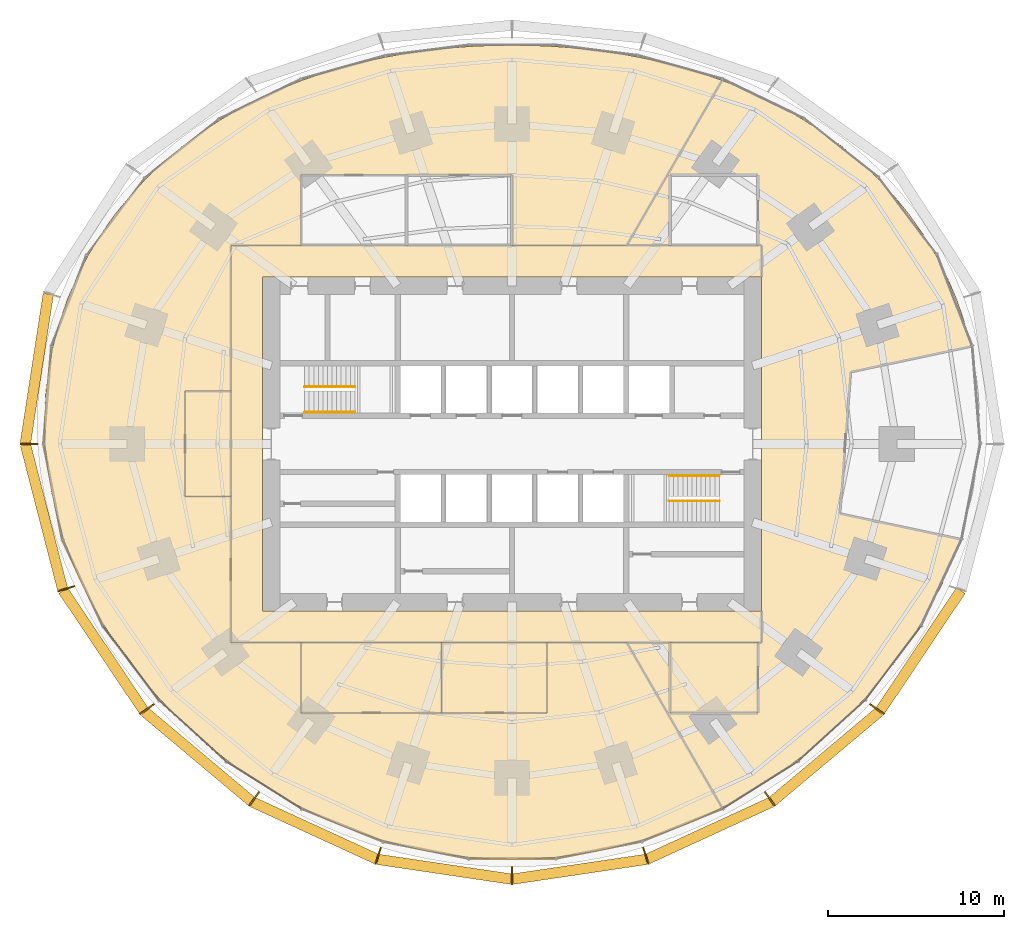
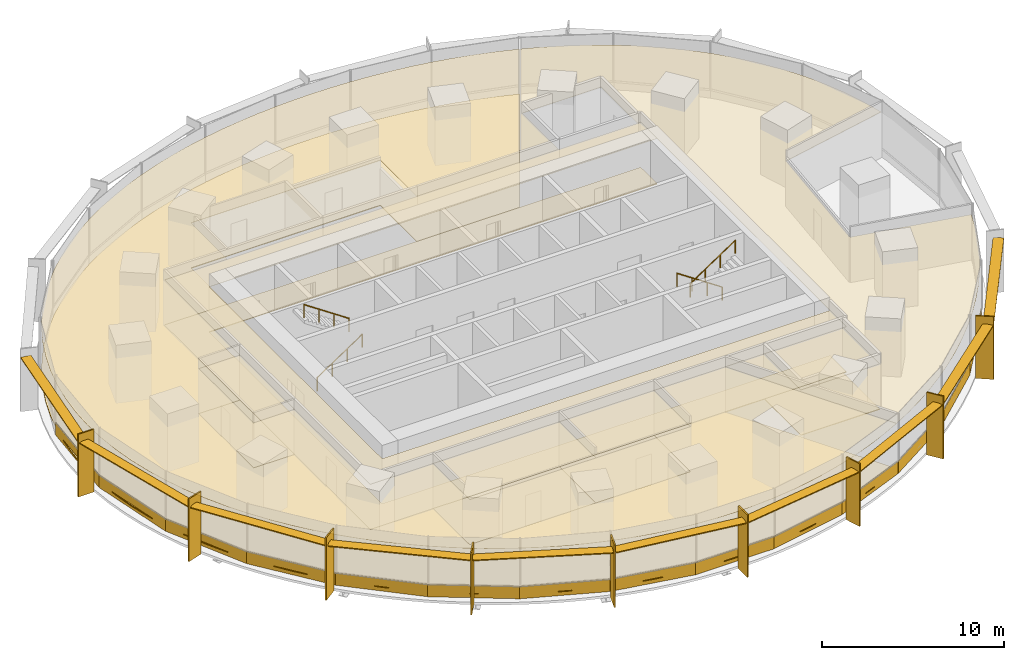
# One storey, part 14 of 15: 27 coverings, 19 shading devices, 4 railings.
"""IFC4 building model written with IfcOpenShell, lengths in metres."""

from ifc_helpers import new_model, si_unit, direction, frame, origin, origin_2d, place, context, subcontext, project, spatial, polyline, rectangle, circle, outline, extrude, material, layer, layer_set, type_object, element, save


model = new_model("IFC4")

# Units and contexts
model_context = context("Model", 3, precision=1e-05, world=origin(), true_north=direction((0.0, 1.0)))
body_context = subcontext(model_context, "Body", "Model", "MODEL_VIEW")
ifc_project = project(units=[si_unit("LENGTHUNIT", "METRE"), si_unit("AREAUNIT", "SQUARE_METRE"), si_unit("VOLUMEUNIT", "CUBIC_METRE"), si_unit("PLANEANGLEUNIT", "RADIAN"), si_unit("MASSUNIT", "GRAM", prefix="KILO")], contexts=[model_context])

# Site, building, storey
site_placement = place(None, origin())
site = spatial("IfcSite", under=ifc_project, at=site_placement, CompositionType="ELEMENT")
building_placement = place(site_placement, origin())
building = spatial("IfcBuilding", under=site, at=building_placement, Name="Marramba Exchange Tower", CompositionType="ELEMENT")
storey_placement = place(building_placement, frame((0.0, 0.0, 78.39990234375)))
storey = spatial("IfcBuildingStorey", under=building, at=storey_placement, Name="L18", CompositionType="ELEMENT", Elevation=78.39990234375)

# Shading devices
ifc_material_1 = material(Name="Aluminium blade, timber-look bronze finish", Category="wood")
ifc_layer_1 = layer(ifc_material_1, 0.080078125)
ifc_layer_set_1 = layer_set([ifc_layer_1], Name="Floor-edge blade 1000x80")
shading_device_type_1 = type_object("IfcShadingDeviceType", Name="Floor-edge blade 1000x80", PredefinedType="USERDEFINED", material=ifc_layer_set_1)
for number, where, z_axis, x_axis, name in (
    (1, (-27.5, 0.0, -0.15966796875), (0.0, 0.0, 1.0), (-1.0, 0.0, 0.0), "Floor-edge blade FB1 L18 TC11"),
    (2, (-25.3740234375, -8.24462890625, -0.15966796875), (0.0, 0.0, 1.0), (-0.951056516295, -0.309016994375, 0.0), "Floor-edge blade FB1 L18 TC12"),
    (3, (-20.773193359375, -15.092529296875, -0.15966796875), (0.0, 0.0, 1.0), (-0.809016994375, -0.587785252292, 0.0), "Floor-edge blade FB1 L18 TC13"),
    (4, (-14.6787109375, -20.20361328125, -0.15966796875), (0.0, 0.0, 1.0), (-0.587785252292, -0.809016994375, 0.0), "Floor-edge blade FB1 L18 TC14"),
    (5, (-7.61767578125, -23.444580078125, -0.15966796875), (0.0, 0.0, 1.0), (-0.309016994375, -0.951056516295, 0.0), "Floor-edge blade FB1 L18 TC15"),
    (6, (0.0, -24.572021484375, -0.15966796875), (0.0, 0.0, 1.0), (0.0, -1.0, 0.0), "Floor-edge blade FB1 L18 TC16"),
    (7, (7.61767578125, -23.444580078125, -0.15966796875), (0.0, 0.0, 1.0), (0.309016994375, -0.951056516295, 0.0), "Floor-edge blade FB1 L18 TC17"),
    (8, (14.6787109375, -20.20361328125, -0.15966796875), (0.0, 0.0, 1.0), (0.587785252292, -0.809016994375, 0.0), "Floor-edge blade FB1 L18 TC18"),
    (9, (20.773193359375, -15.092529296875, -0.15966796875), (0.0, 0.0, 1.0), (0.809016994375, -0.587785252292, 0.0), "Floor-edge blade FB1 L18 TC19"),
):
    element("IfcShadingDevice", number, at=place(storey_placement, frame(where, z_axis=z_axis, x_axis=x_axis)), inside=storey, type_object=shading_device_type_1, Name=name, ObjectType="FIN", PredefinedType="USERDEFINED", context=body_context, shape_type="SweptSolid", body=[
        extrude(rectangle(XDim=1.0, YDim=0.080078125, at=origin_2d()), origin(), (0.0, 0.0, 1.0), 4.199951171875),
    ])

# Coverings
ifc_material_2 = material(Name="Steel raised access floor panels", Category="steel")
ifc_layer_2 = layer(ifc_material_2, 0.050048828125)
ifc_layer_set_2 = layer_set([ifc_layer_2], Name="Raised access floor 300")
covering_type_1 = type_object("IfcCoveringType", Name="Raised access floor 300", PredefinedType="FLOORING", material=ifc_layer_set_2)
covering_1_placement = place(storey_placement, frame((0.0, 0.0, 0.25)))
element("IfcCovering", 10, at=covering_1_placement, inside=storey, type_object=covering_type_1, Name="Raised access floor RAF1 L18 Office", PredefinedType="FLOORING", context=body_context, shape_type="SweptSolid", body=[
    extrude(outline(polyline([(-16.0, 3.0), (-18.60009765625, 3.0), (-18.60009765625, -3.0), (-16.0, -3.0), (-16.0, -11.300048828125), (-12.0, -11.300048828125), (-12.0, -15.300048828125), (-4.0, -15.300048828125), (2.0, -15.300048828125), (2.0, -11.300048828125), (6.524169921875, -11.300048828125), (11.58154296875, -20.059814453125), (11.94921875, -20.69677734375), (10.82373046875, -21.242919921875), (9.677734375, -21.736328125), (8.512451171875, -22.17578125), (7.330078125, -22.56005859375), (6.1328125, -22.8876953125), (4.92236328125, -23.15771484375), (3.701416015625, -23.368896484375), (2.47216796875, -23.5205078125), (1.2373046875, -23.611572265625), (0.0, -23.64208984375), (-1.2373046875, -23.611572265625), (-2.47216796875, -23.5205078125), (-3.701416015625, -23.368896484375), (-4.92236328125, -23.15771484375), (-6.1328125, -22.8876953125), (-7.330078125, -22.56005859375), (-8.512451171875, -22.17578125), (-9.677734375, -21.736328125), (-10.82373046875, -21.242919921875), (-11.94921875, -20.69677734375), (-13.052490234375, -20.09912109375), (-14.132080078125, -19.451171875), (-15.1865234375, -18.75390625), (-16.21435546875, -18.0078125), (-17.213623046875, -17.213623046875), (-18.1826171875, -16.371826171875), (-19.119384765625, -15.482421875), (-20.020751953125, -14.5458984375), (-20.88427734375, -13.5625), (-21.7060546875, -12.531982421875), (-22.482177734375, -11.455322265625), (-23.208251953125, -10.3330078125), (-23.879150390625, -9.166259765625), (-24.489501953125, -7.95703125), (-25.033935546875, -6.707763671875), (-25.50634765625, -5.421630859375), (-25.9013671875, -4.102294921875), (-26.213623046875, -2.755126953125), (-26.43798828125, -1.385498046875), (-26.570068359375, 0.0), (-26.6064453125, 1.394287109375), (-26.544921875, 2.7900390625), (-26.3837890625, 4.1787109375), (-26.123291015625, 5.552734375), (-25.763916015625, 6.9033203125), (-25.30859375, 8.22314453125), (-24.76025390625, 9.50439453125), (-24.12353515625, 10.740478515625), (-23.40380859375, 11.9248046875), (-22.607177734375, 13.05224609375), (-21.740478515625, 14.118408203125), (-20.810791015625, 15.119873046875), (-19.8251953125, 16.05419921875), (-18.791259765625, 16.919677734375), (-17.71630859375, 17.71630859375), (-16.60693359375, 18.44384765625), (-15.4697265625, 19.103759765625), (-14.31103515625, 19.697509765625), (-13.135986328125, 20.2275390625), (-11.94921875, 20.69677734375), (-10.755126953125, 21.10791015625), (-9.556640625, 21.464599609375), (-8.356689453125, 21.76953125), (-7.15673828125, 22.0263671875), (-5.95849609375, 22.23779296875), (-4.7626953125, 22.406982421875), (-3.5693359375, 22.535888671875), (-2.378173828125, 22.62646484375), (-1.188720703125, 22.68017578125), (0.0, 22.697998046875), (1.188720703125, 22.68017578125), (2.378173828125, 22.62646484375), (3.5693359375, 22.535888671875), (4.7626953125, 22.406982421875), (5.95849609375, 22.23779296875), (7.15673828125, 22.0263671875), (8.356689453125, 21.76953125), (9.556640625, 21.464599609375), (10.755126953125, 21.10791015625), (11.94921875, 20.69677734375), (11.58154296875, 20.059814453125), (6.524169921875, 11.300048828125), (0.0, 11.300048828125), (0.0, 15.300048828125), (-6.0, 15.300048828125), (-12.0, 15.300048828125), (-12.0, 11.300048828125), (-16.0, 11.300048828125), (-16.0, 3.0)])), origin(), (0.0, 0.0, 1.0), 0.050048828125),
])
covering_2_placement = place(storey_placement, frame((0.0, 0.0, 0.25)))
element("IfcCovering", 11, at=covering_2_placement, inside=storey, type_object=covering_type_1, Name="Raised access floor RAF1 L18 Corridor", PredefinedType="FLOORING", context=body_context, shape_type="SweptSolid", body=[
    extrude(outline(polyline([(-16.0, -11.300048828125), (-16.0, 11.300048828125), (14.199951171875, 11.300048828125), (14.199951171875, 9.5), (-14.199951171875, 9.5), (-14.199951171875, -9.5), (14.199951171875, -9.5), (14.199951171875, -11.300048828125), (-16.0, -11.300048828125)])), origin(), (0.0, 0.0, 1.0), 0.050048828125),
])
covering_3_placement = place(storey_placement, frame((0.0, 0.0, 0.25)))
element("IfcCovering", 12, at=covering_3_placement, inside=storey, type_object=covering_type_1, Name="Raised access floor RAF1 L18 Data Room", PredefinedType="FLOORING", context=body_context, shape_type="SweptSolid", body=[
    extrude(outline(polyline([(14.0, -15.300048828125), (9.0, -15.300048828125), (9.0, -11.300048828125), (14.0, -11.300048828125), (14.0, -15.300048828125)])), origin(), (0.0, 0.0, 1.0), 0.050048828125),
])
covering_4_placement = place(storey_placement, frame((0.0, 0.0, 0.25)))
element("IfcCovering", 13, at=covering_4_placement, inside=storey, type_object=covering_type_1, Name="Raised access floor RAF1 L18 Clearing Office", PredefinedType="FLOORING", context=body_context, shape_type="SweptSolid", body=[
    extrude(outline(polyline([(-4.0, -15.300048828125), (-12.0, -15.300048828125), (-12.0, -11.300048828125), (-4.0, -11.300048828125), (-4.0, -15.300048828125)])), origin(), (0.0, 0.0, 1.0), 0.050048828125),
])
covering_5_placement = place(storey_placement, frame((0.0, 0.0, 0.25)))
element("IfcCovering", 14, at=covering_5_placement, inside=storey, type_object=covering_type_1, Name="Raised access floor RAF1 L18 Pantry", PredefinedType="FLOORING", context=body_context, shape_type="SweptSolid", body=[
    extrude(outline(polyline([(2.0, -15.300048828125), (-4.0, -15.300048828125), (-4.0, -11.300048828125), (2.0, -11.300048828125), (2.0, -15.300048828125)])), origin(), (0.0, 0.0, 1.0), 0.050048828125),
])
covering_6_placement = place(storey_placement, frame((0.0, 0.0, 0.25)))
element("IfcCovering", 15, at=covering_6_placement, inside=storey, type_object=covering_type_1, Name="Raised access floor RAF1 L18 Print Room", PredefinedType="FLOORING", context=body_context, shape_type="SweptSolid", body=[
    extrude(outline(polyline([(-16.0, -3.0), (-18.60009765625, -3.0), (-18.60009765625, 3.0), (-16.0, 3.0), (-16.0, -3.0)])), origin(), (0.0, 0.0, 1.0), 0.050048828125),
])

# Shading devices
ifc_material_3 = material(Name="Aluminium sunshade, bronze anodised", Category="aluminium")
ifc_layer_3 = layer(ifc_material_3, 0.06005859375)
ifc_layer_set_3 = layer_set([ifc_layer_3], Name="SUNSHADE blade 600x60")
shading_device_type_2 = type_object("IfcShadingDeviceType", Name="SUNSHADE blade 600x60", PredefinedType="USERDEFINED", material=ifc_layer_set_3)
shading_device_1_placement = place(storey_placement, frame((-27.04150390625, 4.2861328125, 3.4599609375), z_axis=(0.0, 0.0, 1.0), x_axis=(-0.151825486228, -0.988407315701, 0.0)))
element("IfcShadingDevice", 16, at=shading_device_1_placement, inside=storey, type_object=shading_device_type_2, Name="Sunshade SS1 L18 bay 10", ObjectType="SUNSHADE", PredefinedType="USERDEFINED", context=body_context, shape_type="SweptSolid", body=[
    extrude(rectangle(XDim=8.593017578125, YDim=0.60009765625, at=origin_2d()), origin(), (0.0, 0.0, 1.0), 0.06005859375),
])
shading_device_2_placement = place(storey_placement, frame((-26.632080078125, -4.153076171875, 3.4599609375), z_axis=(0.0, 0.0, 1.0), x_axis=(0.249024641331, -0.968497149201, 0.0)))
element("IfcShadingDevice", 17, at=shading_device_2_placement, inside=storey, type_object=shading_device_type_2, Name="Sunshade SS1 L18 bay 11", ObjectType="SUNSHADE", PredefinedType="USERDEFINED", context=body_context, shape_type="SweptSolid", body=[
    extrude(rectangle(XDim=8.49658203125, YDim=0.60009765625, at=origin_2d()), origin(), (0.0, 0.0, 1.0), 0.06005859375),
])
shading_device_3_placement = place(storey_placement, frame((-23.24951171875, -11.75830078125, 3.4599609375), z_axis=(0.0, 0.0, 1.0), x_axis=(0.556924164761, -0.830563347798, 0.0)))
element("IfcShadingDevice", 18, at=shading_device_3_placement, inside=storey, type_object=shading_device_type_2, Name="Sunshade SS1 L18 bay 12", ObjectType="SUNSHADE", PredefinedType="USERDEFINED", context=body_context, shape_type="SweptSolid", body=[
    extrude(rectangle(XDim=8.232177734375, YDim=0.60009765625, at=origin_2d()), origin(), (0.0, 0.0, 1.0), 0.06005859375),
])
shading_device_4_placement = place(storey_placement, frame((-17.86572265625, -17.787841796875, 3.4599609375), z_axis=(0.0, 0.0, 1.0), x_axis=(0.765776068523, -0.643107310546, 0.0)))
element("IfcShadingDevice", 19, at=shading_device_4_placement, inside=storey, type_object=shading_device_type_2, Name="Sunshade SS1 L18 bay 13", ObjectType="SUNSHADE", PredefinedType="USERDEFINED", context=body_context, shape_type="SweptSolid", body=[
    extrude(rectangle(XDim=7.936279296875, YDim=0.60009765625, at=origin_2d()), origin(), (0.0, 0.0, 1.0), 0.06005859375),
])
shading_device_5_placement = place(storey_placement, frame((-11.23779296875, -22.0, 3.4599609375), z_axis=(0.0, 0.0, 1.0), x_axis=(0.908703542008, -0.417442059144, 0.0)))
element("IfcShadingDevice", 20, at=shading_device_5_placement, inside=storey, type_object=shading_device_type_2, Name="Sunshade SS1 L18 bay 14", ObjectType="SUNSHADE", PredefinedType="USERDEFINED", context=body_context, shape_type="SweptSolid", body=[
    extrude(rectangle(XDim=7.751953125, YDim=0.60009765625, at=origin_2d()), origin(), (0.0, 0.0, 1.0), 0.06005859375),
])
for number, where, z_axis, x_axis, name in (
    (21, (-3.839599609375, -24.203369140625, 3.4599609375), (0.0, 0.0, 1.0), (0.989212895923, -0.146484970356, 0.0), "Sunshade SS1 L18 bay 15"),
    (22, (3.839599609375, -24.203369140625, 3.4599609375), (0.0, 0.0, 1.0), (0.989212895923, 0.146484970356, 0.0), "Sunshade SS1 L18 bay 16"),
):
    element("IfcShadingDevice", number, at=place(storey_placement, frame(where, z_axis=z_axis, x_axis=x_axis)), inside=storey, type_object=shading_device_type_2, Name=name, ObjectType="SUNSHADE", PredefinedType="USERDEFINED", context=body_context, shape_type="SweptSolid", body=[
        extrude(rectangle(XDim=7.68310546875, YDim=0.60009765625, at=origin_2d()), origin(), (0.0, 0.0, 1.0), 0.06005859375),
    ])
shading_device_6_placement = place(storey_placement, frame((11.23779296875, -22.0, 3.4599609375), z_axis=(0.0, 0.0, 1.0), x_axis=(0.908703542008, 0.417442059144, 0.0)))
element("IfcShadingDevice", 23, at=shading_device_6_placement, inside=storey, type_object=shading_device_type_2, Name="Sunshade SS1 L18 bay 17", ObjectType="SUNSHADE", PredefinedType="USERDEFINED", context=body_context, shape_type="SweptSolid", body=[
    extrude(rectangle(XDim=7.751953125, YDim=0.60009765625, at=origin_2d()), origin(), (0.0, 0.0, 1.0), 0.06005859375),
])
shading_device_7_placement = place(storey_placement, frame((17.86572265625, -17.787841796875, 3.4599609375), z_axis=(0.0, 0.0, 1.0), x_axis=(0.765776068523, 0.643107310546, 0.0)))
element("IfcShadingDevice", 24, at=shading_device_7_placement, inside=storey, type_object=shading_device_type_2, Name="Sunshade SS1 L18 bay 18", ObjectType="SUNSHADE", PredefinedType="USERDEFINED", context=body_context, shape_type="SweptSolid", body=[
    extrude(rectangle(XDim=7.936279296875, YDim=0.60009765625, at=origin_2d()), origin(), (0.0, 0.0, 1.0), 0.06005859375),
])
shading_device_8_placement = place(storey_placement, frame((23.24951171875, -11.75830078125, 3.4599609375), z_axis=(0.0, 0.0, 1.0), x_axis=(0.556924164761, 0.830563347798, 0.0)))
element("IfcShadingDevice", 25, at=shading_device_8_placement, inside=storey, type_object=shading_device_type_2, Name="Sunshade SS1 L18 bay 19", ObjectType="SUNSHADE", PredefinedType="USERDEFINED", context=body_context, shape_type="SweptSolid", body=[
    extrude(rectangle(XDim=8.232177734375, YDim=0.60009765625, at=origin_2d()), origin(), (0.0, 0.0, 1.0), 0.06005859375),
])

# Coverings
ifc_material_4 = material(Name="Aluminium spandrel panel, bronze anodised, insulated", Category="aluminium")
ifc_layer_4 = layer(ifc_material_4, 0.050048828125)
ifc_layer_set_4 = layer_set([ifc_layer_4], Name="Spandrel panel 800")
covering_type_2 = type_object("IfcCoveringType", Name="Spandrel panel 800", PredefinedType="CLADDING", material=ifc_layer_set_4)
covering_7_placement = place(storey_placement, frame((-26.42578125, 2.78466796875, 0.0), z_axis=(0.0, 0.0, 1.0), x_axis=(-0.080275227657, -0.996772736297, 0.0)))
element("IfcCovering", 26, at=covering_7_placement, inside=storey, type_object=covering_type_2, Name="Spandrel panel SP1 L18 F15", PredefinedType="CLADDING", context=body_context, shape_type="SweptSolid", body=[
    extrude(rectangle(XDim=5.58740234375, YDim=0.050048828125, at=origin_2d()), origin(), (0.0, 0.0, 1.0), 0.800048828125),
])
covering_8_placement = place(storey_placement, frame((-26.117431640625, -2.718994140625, 0.0), z_axis=(0.0, 0.0, 1.0), x_axis=(0.19224858127, -0.981346260501, 0.0)))
element("IfcCovering", 27, at=covering_8_placement, inside=storey, type_object=covering_type_2, Name="Spandrel panel SP1 L18 F16", PredefinedType="CLADDING", context=body_context, shape_type="SweptSolid", body=[
    extrude(rectangle(XDim=5.54150390625, YDim=0.050048828125, at=origin_2d()), origin(), (0.0, 0.0, 1.0), 0.800048828125),
])
covering_9_placement = place(storey_placement, frame((-24.432861328125, -7.90185546875, 0.0), z_axis=(0.0, 0.0, 1.0), x_axis=(0.423477213559, -0.905906755464, 0.0)))
element("IfcCovering", 28, at=covering_9_placement, inside=storey, type_object=covering_type_2, Name="Spandrel panel SP1 L18 F17", PredefinedType="CLADDING", context=body_context, shape_type="SweptSolid", body=[
    extrude(rectangle(XDim=5.439208984375, YDim=0.050048828125, at=origin_2d()), origin(), (0.0, 0.0, 1.0), 0.800048828125),
])
covering_10_placement = place(storey_placement, frame((-21.683349609375, -12.479248046875, 0.0), z_axis=(0.0, 0.0, 1.0), x_axis=(0.603040469481, -0.797710594243, 0.0)))
element("IfcCovering", 29, at=covering_10_placement, inside=storey, type_object=covering_type_2, Name="Spandrel panel SP1 L18 F18", PredefinedType="CLADDING", context=body_context, shape_type="SweptSolid", body=[
    extrude(rectangle(XDim=5.299560546875, YDim=0.050048828125, at=origin_2d()), origin(), (0.0, 0.0, 1.0), 0.800048828125),
])
covering_11_placement = place(storey_placement, frame((-18.1767578125, -16.330078125, 0.0), z_axis=(0.0, 0.0, 1.0), x_axis=(0.739589582203, -0.673058132628, 0.0)))
element("IfcCovering", 30, at=covering_11_placement, inside=storey, type_object=covering_type_2, Name="Spandrel panel SP1 L18 F19", PredefinedType="CLADDING", context=body_context, shape_type="SweptSolid", body=[
    extrude(rectangle(XDim=5.161865234375, YDim=0.050048828125, at=origin_2d()), origin(), (0.0, 0.0, 1.0), 0.800048828125),
])
covering_12_placement = place(storey_placement, frame((-14.128662109375, -19.416748046875, 0.0), z_axis=(0.0, 0.0, 1.0), x_axis=(0.845790829799, -0.533514641062, 0.0)))
element("IfcCovering", 31, at=covering_12_placement, inside=storey, type_object=covering_type_2, Name="Spandrel panel SP1 L18 F20", PredefinedType="CLADDING", context=body_context, shape_type="SweptSolid", body=[
    extrude(rectangle(XDim=5.05859375, YDim=0.050048828125, at=origin_2d()), origin(), (0.0, 0.0, 1.0), 0.800048828125),
])
covering_13_placement = place(storey_placement, frame((-9.672119140625, -21.701171875, 0.0), z_axis=(0.0, 0.0, 1.0), x_axis=(0.927340675001, -0.374218215069, 0.0)))
element("IfcCovering", 32, at=covering_13_placement, inside=storey, type_object=covering_type_2, Name="Spandrel panel SP1 L18 F21", PredefinedType="CLADDING", context=body_context, shape_type="SweptSolid", body=[
    extrude(rectangle(XDim=4.99755859375, YDim=0.050048828125, at=origin_2d()), origin(), (0.0, 0.0, 1.0), 0.800048828125),
])
covering_14_placement = place(storey_placement, frame((-4.917724609375, -23.1181640625, 0.0), z_axis=(0.0, 0.0, 1.0), x_axis=(0.981009201842, -0.193961196898, 0.0)))
element("IfcCovering", 33, at=covering_14_placement, inside=storey, type_object=covering_type_2, Name="Spandrel panel SP1 L18 F22", PredefinedType="CLADDING", context=body_context, shape_type="SweptSolid", body=[
    extrude(rectangle(XDim=4.96875, YDim=0.050048828125, at=origin_2d()), origin(), (0.0, 0.0, 1.0), 0.800048828125),
])
covering_15_placement = place(storey_placement, frame((0.0, -23.599853515625, 0.0), z_axis=(0.0, 0.0, 1.0), x_axis=(1.0, 0.0, 0.0)))
element("IfcCovering", 34, at=covering_15_placement, inside=storey, type_object=covering_type_2, Name="Spandrel panel SP1 L18 F23", PredefinedType="CLADDING", context=body_context, shape_type="SweptSolid", body=[
    extrude(rectangle(XDim=4.9609375, YDim=0.050048828125, at=origin_2d()), origin(), (0.0, 0.0, 1.0), 0.800048828125),
])
covering_16_placement = place(storey_placement, frame((4.917724609375, -23.1181640625, 0.0), z_axis=(0.0, 0.0, 1.0), x_axis=(0.981009201842, 0.193961196898, 0.0)))
element("IfcCovering", 35, at=covering_16_placement, inside=storey, type_object=covering_type_2, Name="Spandrel panel SP1 L18 F24", PredefinedType="CLADDING", context=body_context, shape_type="SweptSolid", body=[
    extrude(rectangle(XDim=4.96875, YDim=0.050048828125, at=origin_2d()), origin(), (0.0, 0.0, 1.0), 0.800048828125),
])
covering_17_placement = place(storey_placement, frame((9.672119140625, -21.701171875, 0.0), z_axis=(0.0, 0.0, 1.0), x_axis=(0.927340675001, 0.374218215069, 0.0)))
element("IfcCovering", 36, at=covering_17_placement, inside=storey, type_object=covering_type_2, Name="Spandrel panel SP1 L18 F25", PredefinedType="CLADDING", context=body_context, shape_type="SweptSolid", body=[
    extrude(rectangle(XDim=4.99755859375, YDim=0.050048828125, at=origin_2d()), origin(), (0.0, 0.0, 1.0), 0.800048828125),
])
covering_18_placement = place(storey_placement, frame((14.128662109375, -19.416748046875, 0.0), z_axis=(0.0, 0.0, 1.0), x_axis=(0.845790829799, 0.533514641062, 0.0)))
element("IfcCovering", 37, at=covering_18_placement, inside=storey, type_object=covering_type_2, Name="Spandrel panel SP1 L18 F26", PredefinedType="CLADDING", context=body_context, shape_type="SweptSolid", body=[
    extrude(rectangle(XDim=5.05859375, YDim=0.050048828125, at=origin_2d()), origin(), (0.0, 0.0, 1.0), 0.800048828125),
])
covering_19_placement = place(storey_placement, frame((18.1767578125, -16.330078125, 0.0), z_axis=(0.0, 0.0, 1.0), x_axis=(0.739589582203, 0.673058132628, 0.0)))
element("IfcCovering", 38, at=covering_19_placement, inside=storey, type_object=covering_type_2, Name="Spandrel panel SP1 L18 F27", PredefinedType="CLADDING", context=body_context, shape_type="SweptSolid", body=[
    extrude(rectangle(XDim=5.161865234375, YDim=0.050048828125, at=origin_2d()), origin(), (0.0, 0.0, 1.0), 0.800048828125),
])
covering_20_placement = place(storey_placement, frame((21.683349609375, -12.479248046875, 0.0), z_axis=(0.0, 0.0, 1.0), x_axis=(0.603040469481, 0.797710594243, 0.0)))
element("IfcCovering", 39, at=covering_20_placement, inside=storey, type_object=covering_type_2, Name="Spandrel panel SP1 L18 F28", PredefinedType="CLADDING", context=body_context, shape_type="SweptSolid", body=[
    extrude(rectangle(XDim=5.299560546875, YDim=0.050048828125, at=origin_2d()), origin(), (0.0, 0.0, 1.0), 0.800048828125),
])

# Railings
ifc_material_5 = material(Name="Stainless steel handrail", Category="steel")
railing_type = type_object("IfcRailingType", Name="Stair handrail 900", PredefinedType="HANDRAIL", material=ifc_material_5)
railing_1_placement = place(storey_placement, frame((-11.800048828125, 1.800048828125, 0.175048828125)))
element("IfcRailing", 40, at=railing_1_placement, inside=storey, type_object=railing_type, Name="Handrail HR1 ST1 L18 flight 1", PredefinedType="HANDRAIL", context=body_context, shape_type="SweptSolid", body=[
    extrude(circle(Radius=0.02392578125, at=origin_2d()), frame((0.0, 0.0, 0.8759765625), z_axis=(0.829590901723, 0.0, 0.558371682465), x_axis=(0.0, 1.0, 0.0)), (0.0, 0.0, 1.0), 3.447509765625),
    extrude(circle(Radius=0.02099609375, at=origin_2d()), origin(), (0.0, 0.0, 1.0), 0.851806640625),
    extrude(circle(Radius=0.02099609375, at=origin_2d()), frame((0.953369140625, 0.0, 0.6416015625)), (0.0, 0.0, 1.0), 0.851806640625),
    extrude(circle(Radius=0.02099609375, at=origin_2d()), frame((1.90673828125, 0.0, 1.283447265625)), (0.0, 0.0, 1.0), 0.851806640625),
    extrude(circle(Radius=0.02099609375, at=origin_2d()), frame((2.860107421875, 0.0, 1.925048828125)), (0.0, 0.0, 1.0), 0.851806640625),
])
for number, where, name in (
    (41, (-8.93994140625, 3.25, 2.275146484375), "Handrail HR1 ST1 L18 flight 2"),
    (42, (11.800048828125, -1.800048828125, 0.175048828125), "Handrail HR1 ST2 L18 flight 1"),
):
    element("IfcRailing", number, at=place(storey_placement, frame(where)), inside=storey, type_object=railing_type, Name=name, PredefinedType="HANDRAIL", context=body_context, shape_type="SweptSolid", body=[
        extrude(circle(Radius=0.02392578125, at=origin_2d()), frame((0.0, 0.0, 0.8759765625), z_axis=(-0.829590901723, 0.0, 0.558371682465), x_axis=(0.0, -1.0, 0.0)), (0.0, 0.0, 1.0), 3.447509765625),
        extrude(circle(Radius=0.02099609375, at=origin_2d()), origin(), (0.0, 0.0, 1.0), 0.851806640625),
        extrude(circle(Radius=0.02099609375, at=origin_2d()), frame((-0.953369140625, 0.0, 0.6416015625)), (0.0, 0.0, 1.0), 0.851806640625),
        extrude(circle(Radius=0.02099609375, at=origin_2d()), frame((-1.90673828125, 0.0, 1.283447265625)), (0.0, 0.0, 1.0), 0.851806640625),
        extrude(circle(Radius=0.02099609375, at=origin_2d()), frame((-2.860107421875, 0.0, 1.925048828125)), (0.0, 0.0, 1.0), 0.851806640625),
    ])
railing_2_placement = place(storey_placement, frame((8.93994140625, -3.25, 2.275146484375)))
element("IfcRailing", 43, at=railing_2_placement, inside=storey, type_object=railing_type, Name="Handrail HR1 ST2 L18 flight 2", PredefinedType="HANDRAIL", context=body_context, shape_type="SweptSolid", body=[
    extrude(circle(Radius=0.02392578125, at=origin_2d()), frame((0.0, 0.0, 0.8759765625), z_axis=(0.829590901723, 0.0, 0.558371682465), x_axis=(0.0, 1.0, 0.0)), (0.0, 0.0, 1.0), 3.447509765625),
    extrude(circle(Radius=0.02099609375, at=origin_2d()), origin(), (0.0, 0.0, 1.0), 0.851806640625),
    extrude(circle(Radius=0.02099609375, at=origin_2d()), frame((0.953369140625, 0.0, 0.6416015625)), (0.0, 0.0, 1.0), 0.851806640625),
    extrude(circle(Radius=0.02099609375, at=origin_2d()), frame((1.90673828125, 0.0, 1.283447265625)), (0.0, 0.0, 1.0), 0.851806640625),
    extrude(circle(Radius=0.02099609375, at=origin_2d()), frame((2.860107421875, 0.0, 1.925048828125)), (0.0, 0.0, 1.0), 0.851806640625),
])

# Coverings
ifc_material_6 = material(Name="Mineral fibre ceiling tiles", Category="gypsum")
ifc_layer_5 = layer(ifc_material_6, 0.02001953125)
ifc_layer_set_5 = layer_set([ifc_layer_5], Name="Suspended ceiling 20")
covering_type_3 = type_object("IfcCoveringType", Name="Suspended ceiling 20", PredefinedType="CEILING", material=ifc_layer_set_5)
covering_21_placement = place(storey_placement, frame((0.0, 0.0, 3.300048828125)))
element("IfcCovering", 44, at=covering_21_placement, inside=storey, type_object=covering_type_3, Name="Ceiling CL1 L18 Market Operations Office", PredefinedType="CEILING", context=body_context, shape_type="SweptSolid", body=[
    extrude(outline(polyline([(14.199951171875, -9.5), (14.199951171875, 9.5), (14.199951171875, 11.300048828125), (14.0, 11.300048828125), (14.0, 15.300048828125), (9.0, 15.300048828125), (9.0, 11.300048828125), (6.524169921875, 11.300048828125), (11.94921875, 20.69677734375), (13.135986328125, 20.2275390625), (14.31103515625, 19.697509765625), (15.4697265625, 19.103759765625), (16.60693359375, 18.44384765625), (17.71630859375, 17.71630859375), (18.791259765625, 16.919677734375), (19.8251953125, 16.05419921875), (20.810791015625, 15.119873046875), (21.740478515625, 14.118408203125), (22.607177734375, 13.05224609375), (23.40380859375, 11.9248046875), (24.12353515625, 10.740478515625), (24.76025390625, 9.50439453125), (25.30859375, 8.22314453125), (25.763916015625, 6.9033203125), (26.123291015625, 5.552734375), (19.276123046875, 4.097412109375), (18.659423828125, -3.96630859375), (25.50634765625, -5.421630859375), (25.033935546875, -6.707763671875), (24.489501953125, -7.95703125), (23.879150390625, -9.166259765625), (23.208251953125, -10.3330078125), (22.482177734375, -11.455322265625), (21.7060546875, -12.531982421875), (20.88427734375, -13.5625), (20.020751953125, -14.5458984375), (19.119384765625, -15.482421875), (18.1826171875, -16.371826171875), (17.213623046875, -17.213623046875), (16.21435546875, -18.0078125), (15.1865234375, -18.75390625), (14.132080078125, -19.451171875), (13.052490234375, -20.09912109375), (11.94921875, -20.69677734375), (6.524169921875, -11.300048828125), (9.0, -11.300048828125), (9.0, -15.300048828125), (14.0, -15.300048828125), (14.0, -11.300048828125), (14.199951171875, -11.300048828125), (14.199951171875, -9.5)])), origin(), (0.0, 0.0, 1.0), 0.02001953125),
])
covering_22_placement = place(storey_placement, frame((0.0, 0.0, 3.300048828125)))
element("IfcCovering", 45, at=covering_22_placement, inside=storey, type_object=covering_type_3, Name="Ceiling CL1 L18 Office", PredefinedType="CEILING", context=body_context, shape_type="SweptSolid", body=[
    extrude(outline(polyline([(-16.0, 3.0), (-18.60009765625, 3.0), (-18.60009765625, -3.0), (-16.0, -3.0), (-16.0, -11.300048828125), (-12.0, -11.300048828125), (-12.0, -15.300048828125), (-4.0, -15.300048828125), (2.0, -15.300048828125), (2.0, -11.300048828125), (6.524169921875, -11.300048828125), (11.58154296875, -20.059814453125), (11.94921875, -20.69677734375), (10.82373046875, -21.242919921875), (9.677734375, -21.736328125), (8.512451171875, -22.17578125), (7.330078125, -22.56005859375), (6.1328125, -22.8876953125), (4.92236328125, -23.15771484375), (3.701416015625, -23.368896484375), (2.47216796875, -23.5205078125), (1.2373046875, -23.611572265625), (0.0, -23.64208984375), (-1.2373046875, -23.611572265625), (-2.47216796875, -23.5205078125), (-3.701416015625, -23.368896484375), (-4.92236328125, -23.15771484375), (-6.1328125, -22.8876953125), (-7.330078125, -22.56005859375), (-8.512451171875, -22.17578125), (-9.677734375, -21.736328125), (-10.82373046875, -21.242919921875), (-11.94921875, -20.69677734375), (-13.052490234375, -20.09912109375), (-14.132080078125, -19.451171875), (-15.1865234375, -18.75390625), (-16.21435546875, -18.0078125), (-17.213623046875, -17.213623046875), (-18.1826171875, -16.371826171875), (-19.119384765625, -15.482421875), (-20.020751953125, -14.5458984375), (-20.88427734375, -13.5625), (-21.7060546875, -12.531982421875), (-22.482177734375, -11.455322265625), (-23.208251953125, -10.3330078125), (-23.879150390625, -9.166259765625), (-24.489501953125, -7.95703125), (-25.033935546875, -6.707763671875), (-25.50634765625, -5.421630859375), (-25.9013671875, -4.102294921875), (-26.213623046875, -2.755126953125), (-26.43798828125, -1.385498046875), (-26.570068359375, 0.0), (-26.6064453125, 1.394287109375), (-26.544921875, 2.7900390625), (-26.3837890625, 4.1787109375), (-26.123291015625, 5.552734375), (-25.763916015625, 6.9033203125), (-25.30859375, 8.22314453125), (-24.76025390625, 9.50439453125), (-24.12353515625, 10.740478515625), (-23.40380859375, 11.9248046875), (-22.607177734375, 13.05224609375), (-21.740478515625, 14.118408203125), (-20.810791015625, 15.119873046875), (-19.8251953125, 16.05419921875), (-18.791259765625, 16.919677734375), (-17.71630859375, 17.71630859375), (-16.60693359375, 18.44384765625), (-15.4697265625, 19.103759765625), (-14.31103515625, 19.697509765625), (-13.135986328125, 20.2275390625), (-11.94921875, 20.69677734375), (-10.755126953125, 21.10791015625), (-9.556640625, 21.464599609375), (-8.356689453125, 21.76953125), (-7.15673828125, 22.0263671875), (-5.95849609375, 22.23779296875), (-4.7626953125, 22.406982421875), (-3.5693359375, 22.535888671875), (-2.378173828125, 22.62646484375), (-1.188720703125, 22.68017578125), (0.0, 22.697998046875), (1.188720703125, 22.68017578125), (2.378173828125, 22.62646484375), (3.5693359375, 22.535888671875), (4.7626953125, 22.406982421875), (5.95849609375, 22.23779296875), (7.15673828125, 22.0263671875), (8.356689453125, 21.76953125), (9.556640625, 21.464599609375), (10.755126953125, 21.10791015625), (11.94921875, 20.69677734375), (11.58154296875, 20.059814453125), (6.524169921875, 11.300048828125), (0.0, 11.300048828125), (0.0, 15.300048828125), (-6.0, 15.300048828125), (-12.0, 15.300048828125), (-12.0, 11.300048828125), (-16.0, 11.300048828125), (-16.0, 3.0)])), origin(), (0.0, 0.0, 1.0), 0.02001953125),
])
covering_23_placement = place(storey_placement, frame((0.0, 0.0, 3.300048828125)))
element("IfcCovering", 46, at=covering_23_placement, inside=storey, type_object=covering_type_3, Name="Ceiling CL1 L18 Corridor", PredefinedType="CEILING", context=body_context, shape_type="SweptSolid", body=[
    extrude(outline(polyline([(-16.0, -11.300048828125), (-16.0, 11.300048828125), (14.199951171875, 11.300048828125), (14.199951171875, 9.5), (-14.199951171875, 9.5), (-14.199951171875, -9.5), (14.199951171875, -9.5), (14.199951171875, -11.300048828125), (-16.0, -11.300048828125)])), origin(), (0.0, 0.0, 1.0), 0.02001953125),
])
covering_24_placement = place(storey_placement, frame((0.0, 0.0, 3.300048828125)))
element("IfcCovering", 47, at=covering_24_placement, inside=storey, type_object=covering_type_3, Name="Ceiling CL1 L18 Data Room", PredefinedType="CEILING", context=body_context, shape_type="SweptSolid", body=[
    extrude(outline(polyline([(14.0, -15.300048828125), (9.0, -15.300048828125), (9.0, -11.300048828125), (14.0, -11.300048828125), (14.0, -15.300048828125)])), origin(), (0.0, 0.0, 1.0), 0.02001953125),
])
covering_25_placement = place(storey_placement, frame((0.0, 0.0, 3.300048828125)))
element("IfcCovering", 48, at=covering_25_placement, inside=storey, type_object=covering_type_3, Name="Ceiling CL1 L18 Clearing Office", PredefinedType="CEILING", context=body_context, shape_type="SweptSolid", body=[
    extrude(outline(polyline([(-4.0, -15.300048828125), (-12.0, -15.300048828125), (-12.0, -11.300048828125), (-4.0, -11.300048828125), (-4.0, -15.300048828125)])), origin(), (0.0, 0.0, 1.0), 0.02001953125),
])
covering_26_placement = place(storey_placement, frame((0.0, 0.0, 3.300048828125)))
element("IfcCovering", 49, at=covering_26_placement, inside=storey, type_object=covering_type_3, Name="Ceiling CL1 L18 Pantry", PredefinedType="CEILING", context=body_context, shape_type="SweptSolid", body=[
    extrude(outline(polyline([(2.0, -15.300048828125), (-4.0, -15.300048828125), (-4.0, -11.300048828125), (2.0, -11.300048828125), (2.0, -15.300048828125)])), origin(), (0.0, 0.0, 1.0), 0.02001953125),
])
covering_27_placement = place(storey_placement, frame((0.0, 0.0, 3.300048828125)))
element("IfcCovering", 50, at=covering_27_placement, inside=storey, type_object=covering_type_3, Name="Ceiling CL1 L18 Print Room", PredefinedType="CEILING", context=body_context, shape_type="SweptSolid", body=[
    extrude(outline(polyline([(-16.0, -3.0), (-18.60009765625, -3.0), (-18.60009765625, 3.0), (-16.0, 3.0), (-16.0, -3.0)])), origin(), (0.0, 0.0, 1.0), 0.02001953125),
])

save(model, "model.ifc")
